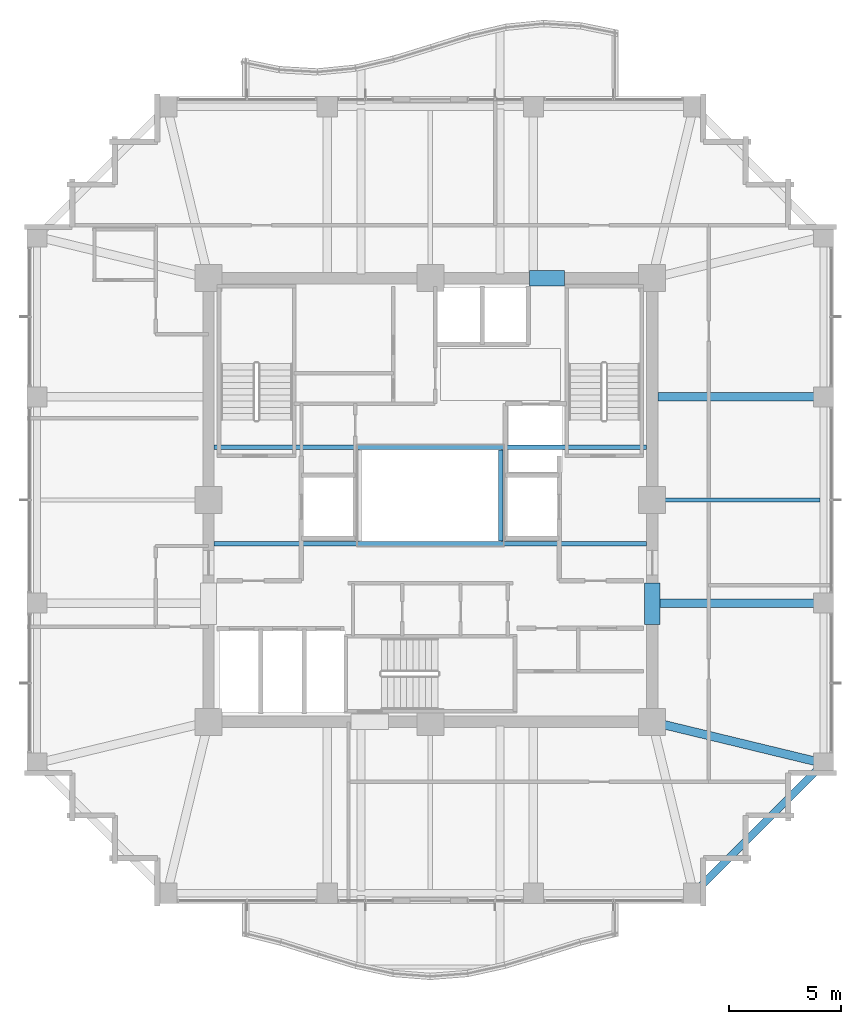
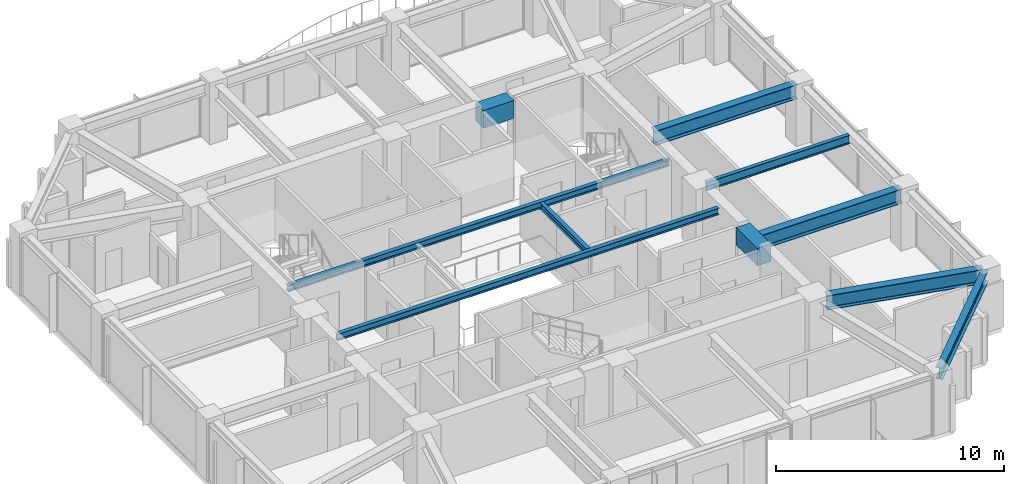
# One storey, part 12 of 31: 10 beams.
"""IFC4 building model written with IfcOpenShell, lengths in metres."""

from ifc_helpers import new_model, si_unit, direction, frame, origin, origin_2d, place, context, subcontext, project, spatial, rectangle, i_section, extrude, material, material_profile, profile_set, type_object, element, save


model = new_model("IFC4")

# Units and contexts
model_context = context("Model", 3, precision=1e-05, world=origin(), true_north=direction((0.0, 1.0)))
body_context = subcontext(model_context, "Body", "Model", "MODEL_VIEW")
ifc_project = project(units=[si_unit("LENGTHUNIT", "METRE"), si_unit("AREAUNIT", "SQUARE_METRE"), si_unit("VOLUMEUNIT", "CUBIC_METRE"), si_unit("PLANEANGLEUNIT", "RADIAN"), si_unit("MASSUNIT", "GRAM", prefix="KILO")], contexts=[model_context])

# Site, building, storey
site_placement = place(None, origin())
site = spatial("IfcSite", under=ifc_project, at=site_placement, CompositionType="ELEMENT")
building_placement = place(site_placement, origin())
building = spatial("IfcBuilding", under=site, at=building_placement, Name="Kolvaren Belvedere", CompositionType="ELEMENT")
storey_placement = place(building_placement, frame((0.0, 0.0, 131.60009765625)))
storey = spatial("IfcBuildingStorey", under=building, at=storey_placement, Name="L38", CompositionType="ELEMENT", Elevation=131.60009765625)

# Beams
ifc_material_1 = material(Name="Structural steel ASTM A992 Grade 50", Category="steel")
ifc_material_profile_1 = material_profile(ifc_material_1, i_section(OverallWidth=0.2041015625, OverallDepth=0.35009765625, WebThickness=0.008544921875, FlangeThickness=0.01513671875, FilletRadius=0.013916015625, at=origin_2d()), Name="W14X48")
ifc_profile_set_1 = profile_set([ifc_material_profile_1], Name="Structural steel ASTM A992 Grade 50")
beam_type_1 = type_object("IfcBeamType", Name="BM-ATRIUM-W14X48", PredefinedType="BEAM", material=ifc_profile_set_1)
for number, where, z_axis, x_axis, name in (
    (1, (-9.64990234375, -1.949951171875, 2.9248046875), (1.0, 0.0, 0.0), (0.0, 1.0, 0.0), "L38 Central Atrium South Girder AS"),
    (2, (-9.64990234375, 2.35009765625, 2.9248046875), (1.0, 0.0, 0.0), (0.0, 1.0, 0.0), "L38 Central Atrium North Girder AN"),
):
    element("IfcBeam", number, at=place(storey_placement, frame(where, z_axis=z_axis, x_axis=x_axis)), inside=storey, type_object=beam_type_1, Name=name, PredefinedType="BEAM", context=body_context, shape_type="SweptSolid", body=[
        extrude(i_section(OverallWidth=0.2041015625, OverallDepth=0.35009765625, WebThickness=0.008544921875, FlangeThickness=0.01513671875, FilletRadius=0.013916015625, at=origin_2d()), origin(), (0.0, 0.0, 1.0), 19.2998046875),
    ])
beam_1_placement = place(storey_placement, frame((3.14990234375, -1.840087890625, 2.9248046875), z_axis=(0.0, 1.0, 0.0), x_axis=(-1.0, 0.0, 0.0)))
element("IfcBeam", 3, at=beam_1_placement, inside=storey, type_object=beam_type_1, Name="L38 Central Atrium East Edge Beam AE", PredefinedType="BEAM", context=body_context, shape_type="SweptSolid", body=[
    extrude(i_section(OverallWidth=0.2041015625, OverallDepth=0.35009765625, WebThickness=0.008544921875, FlangeThickness=0.01513671875, FilletRadius=0.013916015625, at=origin_2d()), origin(), (0.0, 0.0, 1.0), 4.080078125),
])
ifc_material_2 = material(Name="Structural steel ASTM A992 Grade 50", Category="steel")
ifc_material_profile_2 = material_profile(ifc_material_2, i_section(OverallWidth=0.381103515625, OverallDepth=0.77294921875, WebThickness=0.0166015625, FlangeThickness=0.027099609375, FilletRadius=0.02392578125, at=origin_2d()), Name="W30X173")
ifc_profile_set_2 = profile_set([ifc_material_profile_2], Name="Structural steel ASTM A992 Grade 50")
beam_type_2 = type_object("IfcBeamType", Name="BM-GIRD-W30X173", PredefinedType="BEAM", material=ifc_profile_set_2)
for number, where, z_axis, x_axis, name in (
    (4, (10.14990234375, 4.60009765625, 2.71337890625), (1.0, 0.0, 0.0), (0.0, 1.0, 0.0), "L38 East Radial Girder P"),
    (5, (10.14990234375, -4.60009765625, 2.71337890625), (1.0, 0.0, 0.0), (0.0, 1.0, 0.0), "L38 East Radial Girder M"),
):
    element("IfcBeam", number, at=place(storey_placement, frame(where, z_axis=z_axis, x_axis=x_axis)), inside=storey, type_object=beam_type_2, Name=name, PredefinedType="BEAM", context=body_context, shape_type="SweptSolid", body=[
        extrude(i_section(OverallWidth=0.381103515625, OverallDepth=0.77294921875, WebThickness=0.0166015625, FlangeThickness=0.027099609375, FilletRadius=0.02392578125, at=origin_2d()), origin(), (0.0, 0.0, 1.0), 7.197509765625),
    ])
beam_2_placement = place(storey_placement, frame((10.4345703125, -10.029296875, 2.71337890625), z_axis=(0.971980197119, -0.235062749937, 0.0), x_axis=(0.235062749937, 0.971980197119, 0.0)))
element("IfcBeam", 6, at=beam_2_placement, inside=storey, type_object=beam_type_2, Name="L38 Corner Core-to-Perimeter Girder CC2-E1", PredefinedType="BEAM", context=body_context, shape_type="SweptSolid", body=[
    extrude(i_section(OverallWidth=0.381103515625, OverallDepth=0.77294921875, WebThickness=0.0166015625, FlangeThickness=0.027099609375, FilletRadius=0.02392578125, at=origin_2d()), origin(), (0.0, 0.0, 1.0), 7.140625),
])
ifc_material_3 = material(Name="Structural steel ASTM A992 Grade 50", Category="steel")
ifc_material_profile_3 = material_profile(ifc_material_3, i_section(OverallWidth=0.19091796875, OverallDepth=0.4599609375, WebThickness=0.010009765625, FlangeThickness=0.01611328125, FilletRadius=0.014892578125, at=origin_2d()), Name="W18X55")
ifc_profile_set_3 = profile_set([ifc_material_profile_3], Name="Structural steel ASTM A992 Grade 50")
beam_type_3 = type_object("IfcBeamType", Name="BM-JOIST-W18X55", PredefinedType="BEAM", material=ifc_profile_set_3)
beam_3_placement = place(storey_placement, frame((10.14990234375, 0.0, 2.869873046875), z_axis=(1.0, 0.0, 0.0), x_axis=(0.0, 1.0, 0.0)))
element("IfcBeam", 7, at=beam_3_placement, inside=storey, type_object=beam_type_3, Name="L38 East Centre Floor Beam", PredefinedType="BEAM", context=body_context, shape_type="SweptSolid", body=[
    extrude(i_section(OverallWidth=0.19091796875, OverallDepth=0.4599609375, WebThickness=0.010009765625, FlangeThickness=0.01611328125, FilletRadius=0.014892578125, at=origin_2d()), origin(), (0.0, 0.0, 1.0), 7.237548828125),
])
ifc_material_4 = material(Name="Concrete C60/75", Category="concrete")
ifc_material_profile_4 = material_profile(ifc_material_4, rectangle(XDim=0.699951171875, YDim=0.949951171875, at=origin_2d()), Name="RC 700X950")
ifc_profile_set_4 = profile_set([ifc_material_profile_4], Name="Concrete C60/75")
beam_type_4 = type_object("IfcBeamType", Name="BM-LINT-950", PredefinedType="LINTEL", material=ifc_profile_set_4)
beam_4_placement = place(storey_placement, frame((4.419921875, 9.89990234375, 2.625), z_axis=(1.0, 0.0, 0.0), x_axis=(0.0, 1.0, 0.0)))
element("IfcBeam", 8, at=beam_4_placement, inside=storey, type_object=beam_type_4, Name="L38 North Core Coupling Lintel", PredefinedType="LINTEL", context=body_context, shape_type="SweptSolid", body=[
    extrude(rectangle(XDim=0.699951171875, YDim=0.949951171875, at=origin_2d()), origin(), (0.0, 0.0, 1.0), 1.56005859375),
])
beam_5_placement = place(storey_placement, frame((9.89990234375, -5.550048828125, 2.625), z_axis=(0.0, 1.0, 0.0), x_axis=(-1.0, 0.0, 0.0)))
element("IfcBeam", 9, at=beam_5_placement, inside=storey, type_object=beam_type_4, Name="L38 East Core Coupling Lintel", PredefinedType="LINTEL", context=body_context, shape_type="SweptSolid", body=[
    extrude(rectangle(XDim=0.699951171875, YDim=0.949951171875, at=origin_2d()), origin(), (0.0, 0.0, 1.0), 1.85009765625),
])
ifc_material_5 = material(Name="Structural steel ASTM A992 Grade 50", Category="steel")
ifc_material_profile_5 = material_profile(ifc_material_5, i_section(OverallWidth=0.324951171875, OverallDepth=0.615966796875, WebThickness=0.013916015625, FlangeThickness=0.021484375, FilletRadius=0.02001953125, at=origin_2d()), Name="W24X117")
ifc_profile_set_5 = profile_set([ifc_material_profile_5], Name="Structural steel ASTM A992 Grade 50")
beam_type_5 = type_object("IfcBeamType", Name="BM-SPAN-W24X117", PredefinedType="SPANDREL", material=ifc_profile_set_5)
beam_6_placement = place(storey_placement, frame((11.893310546875, -17.40673828125, 2.7919921875), z_axis=(0.707106781187, 0.707106781187, 0.0), x_axis=(-0.707106781187, 0.707106781187, 0.0)))
element("IfcBeam", 10, at=beam_6_placement, inside=storey, type_object=beam_type_5, Name="L38 Perimeter Spandrel S4-E1", PredefinedType="SPANDREL", context=body_context, shape_type="SweptSolid", body=[
    extrude(i_section(OverallWidth=0.324951171875, OverallDepth=0.615966796875, WebThickness=0.013916015625, FlangeThickness=0.021484375, FilletRadius=0.02001953125, at=origin_2d()), origin(), (0.0, 0.0, 1.0), 7.797119140625),
])

save(model, "model.ifc")
